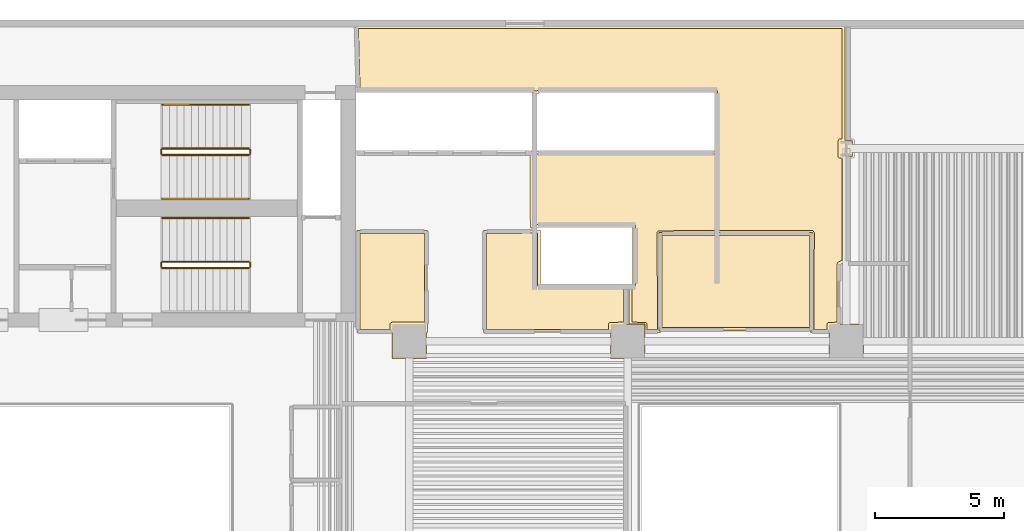
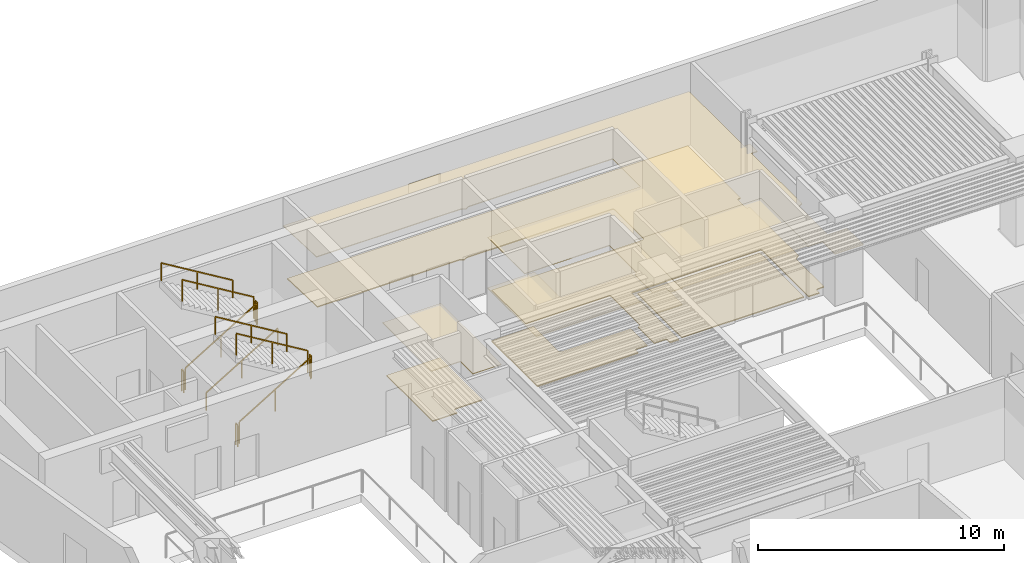
# One storey, part 11 of 12: 11 railings, 8 coverings.
"""IFC4 building model written with IfcOpenShell, lengths in metres."""

from ifc_helpers import new_model, si_unit, direction, frame, origin, origin_2d, place, context, subcontext, project, spatial, polyline, rectangle, outline, extrude, material, layer, layer_set, type_object, element, save


model = new_model("IFC4")

# Units and contexts
model_context = context("Model", 3, precision=1e-05, world=origin(), true_north=direction((0.0, 1.0)))
body_context = subcontext(model_context, "Body", "Model", "MODEL_VIEW")
ifc_project = project(units=[si_unit("LENGTHUNIT", "METRE"), si_unit("AREAUNIT", "SQUARE_METRE"), si_unit("VOLUMEUNIT", "CUBIC_METRE"), si_unit("PLANEANGLEUNIT", "RADIAN"), si_unit("MASSUNIT", "GRAM", prefix="KILO")], contexts=[model_context])

# Site, building, storey
site_placement = place(None, origin())
site = spatial("IfcSite", under=ifc_project, at=site_placement, CompositionType="ELEMENT")
building_placement = place(site_placement, origin())
building = spatial("IfcBuilding", under=site, at=building_placement, Name="Caeloran Harvest Quay", CompositionType="ELEMENT")
storey_placement = place(building_placement, frame((0.0, 0.0, 27.0)))
storey = spatial("IfcBuildingStorey", under=building, at=storey_placement, Name="L06", CompositionType="ELEMENT", Elevation=27.0)

# Coverings
ifc_material_1 = material(Name="Perforated Mineral-Fibre Acoustic Ceiling Tile", Category="ceiling")
ifc_layer_1 = layer(ifc_material_1, 0.0400390625, Name="Perforated Mineral-Fibre Acoustic Ceiling Tile")
ifc_layer_set_1 = layer_set([ifc_layer_1], Name="Perforated Mineral-Fibre Acoustic Ceiling Tile")
covering_type_1 = type_object("IfcCoveringType", Name="COV-CEILING-ACOUSTIC", PredefinedType="CEILING", material=ifc_layer_set_1)
covering_1_placement = place(storey_placement, frame((0.0, 0.0, 2.60009765625)))
element("IfcCovering", 1, at=covering_1_placement, inside=storey, type_object=covering_type_1, Name="L06 Core Telemetry Control Room Acoustic Ceiling", PredefinedType="CEILING", context=body_context, shape_type="SweptSolid", body=[
    extrude(outline(polyline([(41.18994140625, 35.239990234375), (41.18994140625, 31.409912109375), (35.2099609375, 31.409912109375), (35.2099609375, 35.239990234375), (41.18994140625, 35.239990234375)])), origin(), (0.0, 0.0, 1.0), 0.039794921875),
])
covering_2_placement = place(storey_placement, frame((0.0, 0.0, 2.60009765625)))
element("IfcCovering", 2, at=covering_2_placement, inside=storey, type_object=covering_type_1, Name="Equipment Sterilisation Room Acoustic Ceiling", PredefinedType="CEILING", context=body_context, shape_type="SweptSolid", body=[
    extrude(outline(polyline([(34.669921875, 31.669921875), (34.669921875, 30.330078125), (33.330078125, 30.330078125), (33.330078125, 31.340087890625), (28.389892578125, 31.340087890625), (28.389892578125, 35.31005859375), (30.212890625, 35.31005859375), (30.22021484375, 35.330078125), (30.610107421875, 35.330078125), (30.610107421875, 33.2099609375), (32.34130859375, 33.2099609375), (32.34423828125, 33.2294921875), (32.39990234375, 33.23779296875), (32.455810546875, 33.2294921875), (32.458740234375, 33.2099609375), (33.9599609375, 33.2099609375), (33.9599609375, 31.669921875), (34.669921875, 31.669921875)])), origin(), (0.0, 0.0, 1.0), 0.039794921875),
])
covering_3_placement = place(storey_placement, frame((0.0, 0.0, 2.60009765625)))
element("IfcCovering", 3, at=covering_3_placement, inside=storey, type_object=covering_type_1, Name="Leafy-Greens Hydroponic Growing Hall 9 Acoustic Ceiling", PredefinedType="CEILING", context=body_context, shape_type="SweptSolid", body=[
    extrude(outline(polyline([(26.169921875, 30.330078125), (24.830078125, 30.330078125), (24.830078125, 31.340087890625), (23.469970703125, 31.340087890625), (23.469970703125, 35.32861328125), (23.521728515625, 35.31005859375), (26.2099609375, 35.31005859375), (26.2099609375, 31.340087890625), (26.169921875, 31.340087890625), (26.169921875, 30.330078125)])), origin(), (0.0, 0.0, 1.0), 0.039794921875),
])
covering_4_placement = place(storey_placement, frame((0.0, 0.0, 2.60009765625)))
element("IfcCovering", 4, at=covering_4_placement, inside=storey, type_object=covering_type_1, Name="Seedling Nursery Room 11 Acoustic Ceiling", PredefinedType="CEILING", context=body_context, shape_type="SweptSolid", body=[
    extrude(outline(polyline([(33.330078125, 31.669921875), (34.0400390625, 31.669921875), (34.0400390625, 33.119873046875), (34.18994140625, 33.22119140625), (34.18994140625, 35.439697265625), (30.210205078125, 35.419921875), (30.189697265625, 38.409912109375), (37.3701171875, 38.409912109375), (37.3701171875, 40.68994140625), (30.61083984375, 40.68994140625), (30.43994140625, 40.5888671875), (30.26904296875, 40.68994140625), (23.47119140625, 40.68994140625), (23.399658203125, 43.280029296875), (42.4599609375, 43.280029296875), (42.4599609375, 38.804443359375), (42.7470703125, 38.804443359375), (42.7470703125, 38.195556640625), (42.4599609375, 38.195556640625), (42.4599609375, 34.08984375), (42.260009765625, 33.9794921875), (42.260009765625, 31.669921875), (43.169921875, 31.669921875), (43.169921875, 30.330078125), (41.830078125, 30.330078125), (41.830078125, 31.340087890625), (41.119873046875, 31.340087890625), (41.139892578125, 35.18994140625), (35.26025390625, 35.18994140625), (35.2802734375, 31.340087890625), (34.669921875, 31.340087890625), (34.669921875, 30.330078125), (33.330078125, 30.330078125), (33.330078125, 31.669921875)])), origin(), (0.0, 0.0, 1.0), 0.039794921875),
])
ifc_material_2 = material(Name="Calcium-Sulphate Raised Access Floor and Terrazzo Finish", Category="flooring")
ifc_layer_2 = layer(ifc_material_2, 0.050048828125, Name="Calcium-Sulphate Raised Access Floor and Terrazzo Finish")
ifc_layer_set_2 = layer_set([ifc_layer_2], Name="Calcium-Sulphate Raised Access Floor and Terrazzo Finish")
covering_type_2 = type_object("IfcCoveringType", Name="COV-FLOOR-RAISED", PredefinedType="FLOORING", material=ifc_layer_set_2)
covering_5_placement = place(storey_placement, origin())
element("IfcCovering", 5, at=covering_5_placement, inside=storey, type_object=covering_type_2, Name="L06 Core Telemetry Control Room Raised Finish Flooring", PredefinedType="FLOORING", context=body_context, shape_type="SweptSolid", body=[
    extrude(outline(polyline([(41.070068359375, 35.1201171875), (41.070068359375, 31.530029296875), (35.330078125, 31.530029296875), (35.330078125, 35.1201171875), (41.070068359375, 35.1201171875)])), origin(), (0.0, 0.0, 1.0), 0.050048828125),
])
covering_6_placement = place(storey_placement, origin())
element("IfcCovering", 6, at=covering_6_placement, inside=storey, type_object=covering_type_2, Name="Equipment Sterilisation Room Raised Finish Flooring", PredefinedType="FLOORING", context=body_context, shape_type="SweptSolid", body=[
    extrude(outline(polyline([(28.510009765625, 35.18994140625), (30.489990234375, 35.2099609375), (30.489990234375, 33.199951171875), (30.525146484375, 33.119384765625), (30.60009765625, 33.090087890625), (33.840087890625, 33.090087890625), (33.840087890625, 31.7451171875), (33.29736328125, 31.735595703125), (33.256591796875, 31.6806640625), (33.2548828125, 31.4599609375), (28.510009765625, 31.4599609375), (28.510009765625, 35.18994140625)])), origin(), (0.0, 0.0, 1.0), 0.050048828125),
])
covering_7_placement = place(storey_placement, origin())
element("IfcCovering", 7, at=covering_7_placement, inside=storey, type_object=covering_type_2, Name="Leafy-Greens Hydroponic Growing Hall 9 Raised Finish Flooring", PredefinedType="FLOORING", context=body_context, shape_type="SweptSolid", body=[
    extrude(outline(polyline([(23.590087890625, 35.18994140625), (26.090087890625, 35.18994140625), (26.090087890625, 31.7451171875), (24.8271484375, 31.74462890625), (24.75830078125, 31.688232421875), (24.7548828125, 31.4599609375), (23.590087890625, 31.4599609375), (23.590087890625, 35.18994140625)])), origin(), (0.0, 0.0, 1.0), 0.050048828125),
])
covering_8_placement = place(storey_placement, origin())
element("IfcCovering", 8, at=covering_8_placement, inside=storey, type_object=covering_type_2, Name="Seedling Nursery Room 11 Raised Finish Flooring", PredefinedType="FLOORING", context=body_context, shape_type="SweptSolid", body=[
    extrude(outline(polyline([(37.489990234375, 40.72998046875), (37.466552734375, 40.78662109375), (37.409912109375, 40.81005859375), (30.60009765625, 40.81005859375), (30.43994140625, 40.728271484375), (30.280029296875, 40.81005859375), (23.587890625, 40.81005859375), (23.523193359375, 43.159912109375), (42.340087890625, 43.159912109375), (42.340087890625, 38.87939453125), (42.22021484375, 38.8701171875), (42.177978515625, 38.799560546875), (42.179443359375, 38.184814453125), (42.227294921875, 38.126708984375), (42.340087890625, 38.12060546875), (42.340087890625, 34.16064453125), (42.1748046875, 34.06884765625), (42.140380859375, 34.0107421875), (42.139892578125, 31.7451171875), (41.79052734375, 31.7314453125), (41.75537109375, 31.6728515625), (41.7548828125, 31.4599609375), (41.240478515625, 31.4599609375), (41.260009765625, 35.2294921875), (41.203369140625, 35.306396484375), (35.18212890625, 35.300537109375), (35.139892578125, 35.2294921875), (35.15966796875, 31.4599609375), (34.7451171875, 31.4599609375), (34.743408203125, 31.6806640625), (34.70263671875, 31.735595703125), (34.159912109375, 31.7451171875), (34.159912109375, 33.05615234375), (34.286865234375, 33.143798828125), (34.31005859375, 33.199951171875), (34.309814453125, 35.47998046875), (34.286376953125, 35.53662109375), (34.2294921875, 35.56005859375), (30.329345703125, 35.540283203125), (30.310546875, 38.2900390625), (37.43310546875, 38.29345703125), (37.489990234375, 38.3701171875), (37.489990234375, 40.72998046875)])), origin(), (0.0, 0.0, 1.0), 0.050048828125),
])

# Railings
ifc_material_3 = material(Name="Painted Steel Baluster and Top-Rail Stair Guard", Category="steel")
ifc_layer_3 = layer(ifc_material_3, 0.050048828125, Name="Painted Steel Baluster and Top-Rail Stair Guard")
ifc_layer_set_3 = layer_set([ifc_layer_3], Name="Painted Steel Baluster and Top-Rail Stair Guard")
railing_type_1 = type_object("IfcRailingType", Name="STAIR-GUARD-1100", PredefinedType="GUARDRAIL", material=ifc_layer_set_3)
railing_1_placement = place(storey_placement, frame((15.89990234375, 38.25, 0.169189453125)))
element("IfcRailing", 9, at=railing_1_placement, inside=storey, type_object=railing_type_1, Name="L06 ST-C1 stair guard 1", PredefinedType="GUARDRAIL", context=body_context, shape_type="SweptSolid", body=[
    extrude(rectangle(XDim=0.048095703125, YDim=0.048095703125, at=origin_2d()), frame((0.0, 0.0, 1.076171875), z_axis=(0.855836976705, 0.0, 0.517245656632), x_axis=(0.0, 1.0, 0.0)), (0.0, 0.0, 1.0), 3.926025390625),
    extrude(rectangle(XDim=0.0419921875, YDim=0.0419921875, at=origin_2d()), origin(), (0.0, 0.0, 1.0), 1.052001953125),
    extrude(rectangle(XDim=0.0419921875, YDim=0.0419921875, at=origin_2d()), frame((1.68017578125, 0.0, 1.015380859375)), (0.0, 0.0, 1.0), 1.052001953125),
    extrude(rectangle(XDim=0.0419921875, YDim=0.0419921875, at=origin_2d()), frame((3.360107421875, 0.0, 2.03076171875)), (0.0, 0.0, 1.0), 1.052001953125),
])
railing_2_placement = place(storey_placement, frame((19.31005859375, 38.300048828125, 2.199951171875)))
element("IfcRailing", 10, at=railing_2_placement, inside=storey, type_object=railing_type_1, Name="L06 ST-C1 stair guard 2", PredefinedType="GUARDRAIL", context=body_context, shape_type="SweptSolid", body=[
    extrude(rectangle(XDim=0.048095703125, YDim=0.048095703125, at=origin_2d()), frame((0.0, 0.0, 1.076171875), z_axis=(0.0, 1.0, 0.0), x_axis=(-1.0, 0.0, 0.0)), (0.0, 0.0, 1.0), 0.14990234375),
    extrude(rectangle(XDim=0.0419921875, YDim=0.0419921875, at=origin_2d()), origin(), (0.0, 0.0, 1.0), 1.052001953125),
    extrude(rectangle(XDim=0.0419921875, YDim=0.0419921875, at=origin_2d()), frame((0.0, 0.14990234375, 0.0)), (0.0, 0.0, 1.0), 1.052001953125),
])
railing_3_placement = place(storey_placement, frame((19.260009765625, 38.5, 2.369140625)))
element("IfcRailing", 11, at=railing_3_placement, inside=storey, type_object=railing_type_1, Name="L06 ST-C1 stair guard 3", PredefinedType="GUARDRAIL", context=body_context, shape_type="SweptSolid", body=[
    extrude(rectangle(XDim=0.048095703125, YDim=0.048095703125, at=origin_2d()), frame((0.0, 0.0, 1.076171875), z_axis=(-0.855836976705, 0.0, 0.517245656632), x_axis=(0.0, -1.0, 0.0)), (0.0, 0.0, 1.0), 3.926025390625),
    extrude(rectangle(XDim=0.0419921875, YDim=0.0419921875, at=origin_2d()), origin(), (0.0, 0.0, 1.0), 1.052001953125),
    extrude(rectangle(XDim=0.0419921875, YDim=0.0419921875, at=origin_2d()), frame((-1.68017578125, 0.0, 1.015380859375)), (0.0, 0.0, 1.0), 1.052001953125),
    extrude(rectangle(XDim=0.0419921875, YDim=0.0419921875, at=origin_2d()), frame((-3.360107421875, 0.0, 2.03076171875)), (0.0, 0.0, 1.0), 1.052001953125),
])
railing_4_placement = place(storey_placement, frame((15.85009765625, 38.300048828125, 0.0)))
element("IfcRailing", 12, at=railing_4_placement, inside=storey, type_object=railing_type_1, Name="L06 ST-C1 stair guard 4", PredefinedType="GUARDRAIL", context=body_context, shape_type="SweptSolid", body=[
    extrude(rectangle(XDim=0.048095703125, YDim=0.048095703125, at=origin_2d()), frame((0.0, 0.0, 1.076171875), z_axis=(0.0, 1.0, 0.0), x_axis=(-1.0, 0.0, 0.0)), (0.0, 0.0, 1.0), 0.14990234375),
    extrude(rectangle(XDim=0.0419921875, YDim=0.0419921875, at=origin_2d()), origin(), (0.0, 0.0, 1.0), 1.052001953125),
    extrude(rectangle(XDim=0.0419921875, YDim=0.0419921875, at=origin_2d()), frame((0.0, 0.14990234375, 0.0)), (0.0, 0.0, 1.0), 1.052001953125),
])
railing_5_placement = place(storey_placement, frame((15.89990234375, 33.85009765625, 0.169189453125)))
element("IfcRailing", 13, at=railing_5_placement, inside=storey, type_object=railing_type_1, Name="L06 ST-C2 stair guard 1", PredefinedType="GUARDRAIL", context=body_context, shape_type="SweptSolid", body=[
    extrude(rectangle(XDim=0.048095703125, YDim=0.048095703125, at=origin_2d()), frame((0.0, 0.0, 1.076171875), z_axis=(0.855836976705, 0.0, 0.517245656632), x_axis=(0.0, 1.0, 0.0)), (0.0, 0.0, 1.0), 3.926025390625),
    extrude(rectangle(XDim=0.0419921875, YDim=0.0419921875, at=origin_2d()), origin(), (0.0, 0.0, 1.0), 1.052001953125),
    extrude(rectangle(XDim=0.0419921875, YDim=0.0419921875, at=origin_2d()), frame((1.68017578125, 0.0, 1.015380859375)), (0.0, 0.0, 1.0), 1.052001953125),
    extrude(rectangle(XDim=0.0419921875, YDim=0.0419921875, at=origin_2d()), frame((3.360107421875, 0.0, 2.03076171875)), (0.0, 0.0, 1.0), 1.052001953125),
])
railing_6_placement = place(storey_placement, frame((19.31005859375, 33.89990234375, 2.199951171875)))
element("IfcRailing", 14, at=railing_6_placement, inside=storey, type_object=railing_type_1, Name="L06 ST-C2 stair guard 2", PredefinedType="GUARDRAIL", context=body_context, shape_type="SweptSolid", body=[
    extrude(rectangle(XDim=0.048095703125, YDim=0.048095703125, at=origin_2d()), frame((0.0, 0.0, 1.076171875), z_axis=(0.0, 1.0, 0.0), x_axis=(-1.0, 0.0, 0.0)), (0.0, 0.0, 1.0), 0.150146484375),
    extrude(rectangle(XDim=0.0419921875, YDim=0.0419921875, at=origin_2d()), origin(), (0.0, 0.0, 1.0), 1.052001953125),
    extrude(rectangle(XDim=0.0419921875, YDim=0.0419921875, at=origin_2d()), frame((0.0, 0.150146484375, 0.0)), (0.0, 0.0, 1.0), 1.052001953125),
])
railing_7_placement = place(storey_placement, frame((19.260009765625, 34.10009765625, 2.369140625)))
element("IfcRailing", 15, at=railing_7_placement, inside=storey, type_object=railing_type_1, Name="L06 ST-C2 stair guard 3", PredefinedType="GUARDRAIL", context=body_context, shape_type="SweptSolid", body=[
    extrude(rectangle(XDim=0.048095703125, YDim=0.048095703125, at=origin_2d()), frame((0.0, 0.0, 1.076171875), z_axis=(-0.855836976705, 0.0, 0.517245656632), x_axis=(0.0, -1.0, 0.0)), (0.0, 0.0, 1.0), 3.926025390625),
    extrude(rectangle(XDim=0.0419921875, YDim=0.0419921875, at=origin_2d()), origin(), (0.0, 0.0, 1.0), 1.052001953125),
    extrude(rectangle(XDim=0.0419921875, YDim=0.0419921875, at=origin_2d()), frame((-1.68017578125, 0.0, 1.015380859375)), (0.0, 0.0, 1.0), 1.052001953125),
    extrude(rectangle(XDim=0.0419921875, YDim=0.0419921875, at=origin_2d()), frame((-3.360107421875, 0.0, 2.03076171875)), (0.0, 0.0, 1.0), 1.052001953125),
])
railing_8_placement = place(storey_placement, frame((15.85009765625, 33.89990234375, 0.0)))
element("IfcRailing", 16, at=railing_8_placement, inside=storey, type_object=railing_type_1, Name="L06 ST-C2 stair guard 4", PredefinedType="GUARDRAIL", context=body_context, shape_type="SweptSolid", body=[
    extrude(rectangle(XDim=0.048095703125, YDim=0.048095703125, at=origin_2d()), frame((0.0, 0.0, 1.076171875), z_axis=(0.0, 1.0, 0.0), x_axis=(-1.0, 0.0, 0.0)), (0.0, 0.0, 1.0), 0.150146484375),
    extrude(rectangle(XDim=0.0419921875, YDim=0.0419921875, at=origin_2d()), origin(), (0.0, 0.0, 1.0), 1.052001953125),
    extrude(rectangle(XDim=0.0419921875, YDim=0.0419921875, at=origin_2d()), frame((0.0, 0.150146484375, 0.0)), (0.0, 0.0, 1.0), 1.052001953125),
])
ifc_material_4 = material(Name="Brushed Stainless Steel Grade 304", Category="steel")
ifc_layer_4 = layer(ifc_material_4, 0.050048828125, Name="Brushed Stainless Steel Grade 304")
ifc_layer_set_4 = layer_set([ifc_layer_4], Name="Brushed Stainless Steel Grade 304")
railing_type_2 = type_object("IfcRailingType", Name="STAIR-HANDRAIL-900", PredefinedType="HANDRAIL", material=ifc_layer_set_4)
railing_9_placement = place(storey_placement, frame((15.89990234375, 36.550048828125, 0.169189453125)))
element("IfcRailing", 17, at=railing_9_placement, inside=storey, type_object=railing_type_2, Name="L06 ST-C1 stair handrail 1", PredefinedType="HANDRAIL", context=body_context, shape_type="SweptSolid", body=[
    extrude(rectangle(XDim=0.048095703125, YDim=0.048095703125, at=origin_2d()), frame((0.0, 0.0, 0.8759765625), z_axis=(0.855836976705, 0.0, 0.517245656632), x_axis=(0.0, 1.0, 0.0)), (0.0, 0.0, 1.0), 3.926025390625),
    extrude(rectangle(XDim=0.0419921875, YDim=0.0419921875, at=origin_2d()), origin(), (0.0, 0.0, 1.0), 0.851806640625),
    extrude(rectangle(XDim=0.0419921875, YDim=0.0419921875, at=origin_2d()), frame((1.68017578125, 0.0, 1.015380859375)), (0.0, 0.0, 1.0), 0.851806640625),
    extrude(rectangle(XDim=0.0419921875, YDim=0.0419921875, at=origin_2d()), frame((3.360107421875, 0.0, 2.03076171875)), (0.0, 0.0, 1.0), 0.851806640625),
])
for number, where, name in (
    (18, (19.260009765625, 40.199951171875, 2.369140625), "L06 ST-C1 stair handrail 2"),
    (19, (19.260009765625, 35.800048828125, 2.369140625), "L06 ST-C2 stair handrail 2"),
):
    element("IfcRailing", number, at=place(storey_placement, frame(where)), inside=storey, type_object=railing_type_2, Name=name, PredefinedType="HANDRAIL", context=body_context, shape_type="SweptSolid", body=[
        extrude(rectangle(XDim=0.048095703125, YDim=0.048095703125, at=origin_2d()), frame((0.0, 0.0, 0.8759765625), z_axis=(-0.855836976705, 0.0, 0.517245656632), x_axis=(0.0, -1.0, 0.0)), (0.0, 0.0, 1.0), 3.926025390625),
        extrude(rectangle(XDim=0.0419921875, YDim=0.0419921875, at=origin_2d()), origin(), (0.0, 0.0, 1.0), 0.851806640625),
        extrude(rectangle(XDim=0.0419921875, YDim=0.0419921875, at=origin_2d()), frame((-1.68017578125, 0.0, 1.015380859375)), (0.0, 0.0, 1.0), 0.851806640625),
        extrude(rectangle(XDim=0.0419921875, YDim=0.0419921875, at=origin_2d()), frame((-3.360107421875, 0.0, 2.03076171875)), (0.0, 0.0, 1.0), 0.851806640625),
    ])

save(model, "model.ifc")
